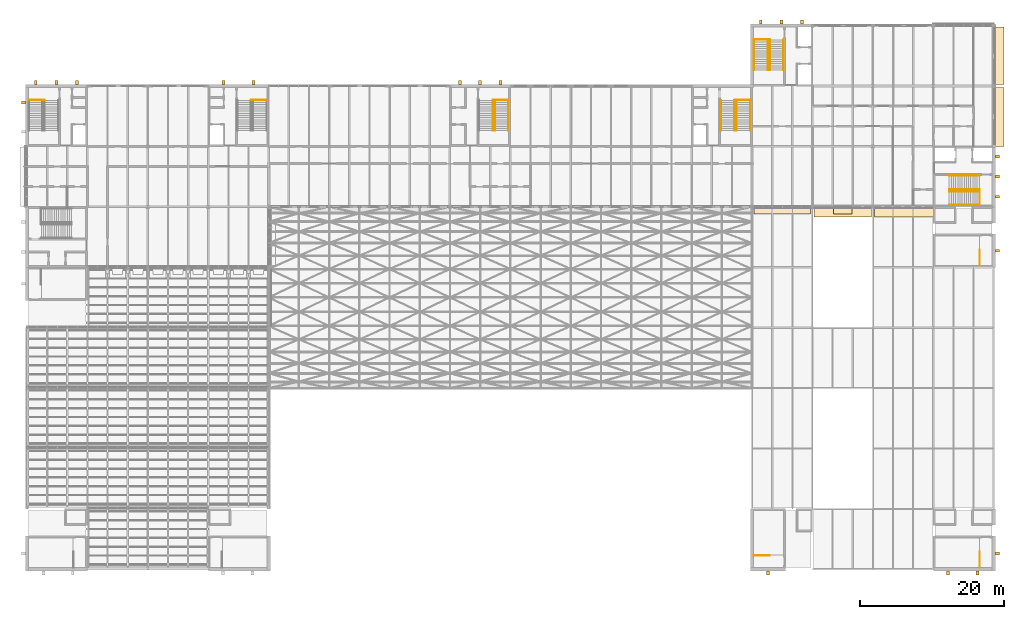
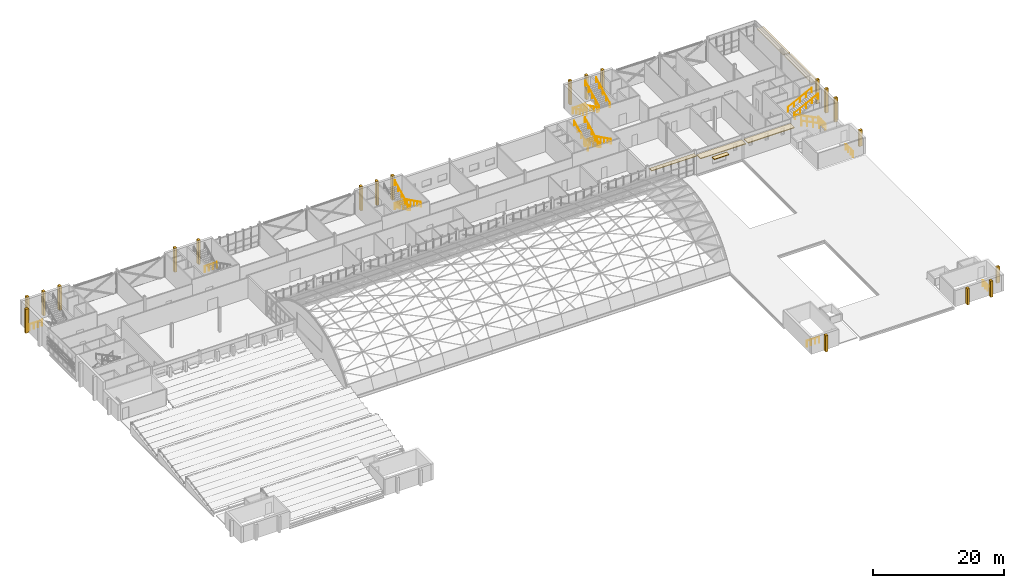
# One storey, part 121 of 121: 26 coverings, 24 railings.
"""IFC4 building model written with IfcOpenShell, lengths in metres."""

from ifc_helpers import new_model, si_unit, direction, frame, origin, origin_2d, place, context, subcontext, project, spatial, rectangle, circle, extrude, material, layer, layer_set, type_object, element, save


model = new_model("IFC4")

# Units and contexts
model_context = context("Model", 3, precision=1e-05, world=origin(), true_north=direction((0.0, 1.0)))
body_context = subcontext(model_context, "Body", "Model", "MODEL_VIEW")
ifc_project = project(units=[si_unit("LENGTHUNIT", "METRE"), si_unit("AREAUNIT", "SQUARE_METRE"), si_unit("VOLUMEUNIT", "CUBIC_METRE"), si_unit("PLANEANGLEUNIT", "RADIAN"), si_unit("MASSUNIT", "GRAM", prefix="KILO")], contexts=[model_context])

# Site, building, storey
site_placement = place(None, origin())
site = spatial("IfcSite", under=ifc_project, at=site_placement, CompositionType="ELEMENT")
building_placement = place(site_placement, origin())
building = spatial("IfcBuilding", under=site, at=building_placement, Name="Ardhachandra Cancer Care Centre", CompositionType="ELEMENT")
storey_placement = place(building_placement, frame((0.0, 0.0, 9.0)))
storey = spatial("IfcBuildingStorey", under=building, at=storey_placement, Name="L02", CompositionType="ELEMENT", Elevation=9.0)

# Railings
ifc_material_1 = material(Name="Steel E250 (IS 2062)", Category="steel")
railing_type_1 = type_object("IfcRailingType", Name="Guard 1100", PredefinedType="GUARDRAIL", material=ifc_material_1)
railing_1_placement = place(storey_placement, frame((11.054931640625, 94.659912109375, 0.0)))
element("IfcRailing", 1, at=railing_1_placement, inside=storey, type_object=railing_type_1, Name="Stair well guard K4 L02", PredefinedType="GUARDRAIL", context=body_context, shape_type="SweptSolid", body=[
    extrude(circle(Radius=0.02392578125, at=origin_2d()), frame((0.0, 0.0, 1.076171875), z_axis=(1.0, 0.0, 0.0), x_axis=(0.0, 1.0, 0.0)), (0.0, 0.0, 1.0), 2.170166015625),
    extrude(circle(Radius=0.02099609375, at=origin_2d()), origin(), (0.0, 0.0, 1.0), 1.052001953125),
    extrude(circle(Radius=0.02099609375, at=origin_2d()), frame((0.723388671875, 0.0, 0.0)), (0.0, 0.0, 1.0), 1.052001953125),
    extrude(circle(Radius=0.02099609375, at=origin_2d()), frame((1.44677734375, 0.0, 0.0)), (0.0, 0.0, 1.0), 1.052001953125),
    extrude(circle(Radius=0.02099609375, at=origin_2d()), frame((2.170166015625, 0.0, 0.0)), (0.0, 0.0, 1.0), 1.052001953125),
])
railing_2_placement = place(storey_placement, frame((44.169921875, 94.659912109375, 0.0)))
element("IfcRailing", 2, at=railing_2_placement, inside=storey, type_object=railing_type_1, Name="Stair well guard K5 L02", PredefinedType="GUARDRAIL", context=body_context, shape_type="SweptSolid", body=[
    extrude(circle(Radius=0.02392578125, at=origin_2d()), frame((0.0, 0.0, 1.076171875), z_axis=(-1.0, 0.0, 0.0), x_axis=(0.0, -1.0, 0.0)), (0.0, 0.0, 1.0), 2.169921875),
    extrude(circle(Radius=0.02099609375, at=origin_2d()), origin(), (0.0, 0.0, 1.0), 1.052001953125),
    extrude(circle(Radius=0.02099609375, at=origin_2d()), frame((-0.723388671875, 0.0, 0.0)), (0.0, 0.0, 1.0), 1.052001953125),
    extrude(circle(Radius=0.02099609375, at=origin_2d()), frame((-1.446533203125, 0.0, 0.0)), (0.0, 0.0, 1.0), 1.052001953125),
    extrude(circle(Radius=0.02099609375, at=origin_2d()), frame((-2.169921875, 0.0, 0.0)), (0.0, 0.0, 1.0), 1.052001953125),
])
railing_3_placement = place(storey_placement, frame((111.3701171875, 94.659912109375, 0.0)))
element("IfcRailing", 3, at=railing_3_placement, inside=storey, type_object=railing_type_1, Name="Stair well guard K7 L02", PredefinedType="GUARDRAIL", context=body_context, shape_type="SweptSolid", body=[
    extrude(circle(Radius=0.02392578125, at=origin_2d()), frame((0.0, 0.0, 1.076171875), z_axis=(-1.0, 0.0, 0.0), x_axis=(0.0, -1.0, 0.0)), (0.0, 0.0, 1.0), 2.170166015625),
    extrude(circle(Radius=0.02099609375, at=origin_2d()), origin(), (0.0, 0.0, 1.0), 1.052001953125),
    extrude(circle(Radius=0.02099609375, at=origin_2d()), frame((-0.723388671875, 0.0, 0.0)), (0.0, 0.0, 1.0), 1.052001953125),
    extrude(circle(Radius=0.02099609375, at=origin_2d()), frame((-1.44677734375, 0.0, 0.0)), (0.0, 0.0, 1.0), 1.052001953125),
    extrude(circle(Radius=0.02099609375, at=origin_2d()), frame((-2.170166015625, 0.0, 0.0)), (0.0, 0.0, 1.0), 1.052001953125),
])
railing_4_placement = place(storey_placement, frame((77.77001953125, 94.659912109375, 0.0)))
element("IfcRailing", 4, at=railing_4_placement, inside=storey, type_object=railing_type_1, Name="Stair well guard K8 L02", PredefinedType="GUARDRAIL", context=body_context, shape_type="SweptSolid", body=[
    extrude(circle(Radius=0.02392578125, at=origin_2d()), frame((0.0, 0.0, 1.076171875), z_axis=(-1.0, 0.0, 0.0), x_axis=(0.0, -1.0, 0.0)), (0.0, 0.0, 1.0), 2.169921875),
    extrude(circle(Radius=0.02099609375, at=origin_2d()), origin(), (0.0, 0.0, 1.0), 1.052001953125),
    extrude(circle(Radius=0.02099609375, at=origin_2d()), frame((-0.723388671875, 0.0, 0.0)), (0.0, 0.0, 1.0), 1.052001953125),
    extrude(circle(Radius=0.02099609375, at=origin_2d()), frame((-1.446533203125, 0.0, 0.0)), (0.0, 0.0, 1.0), 1.052001953125),
    extrude(circle(Radius=0.02099609375, at=origin_2d()), frame((-2.169921875, 0.0, 0.0)), (0.0, 0.0, 1.0), 1.052001953125),
])
railing_5_placement = place(storey_placement, frame((143.260009765625, 29.655029296875, 0.0)))
element("IfcRailing", 5, at=railing_5_placement, inside=storey, type_object=railing_type_1, Name="Stair well guard K9 L02", PredefinedType="GUARDRAIL", context=body_context, shape_type="SweptSolid", body=[
    extrude(circle(Radius=0.02392578125, at=origin_2d()), frame((0.0, 0.0, 1.076171875), z_axis=(0.0, 1.0, 0.0), x_axis=(-1.0, 0.0, 0.0)), (0.0, 0.0, 1.0), 2.169921875),
    extrude(circle(Radius=0.02099609375, at=origin_2d()), origin(), (0.0, 0.0, 1.0), 1.052001953125),
    extrude(circle(Radius=0.02099609375, at=origin_2d()), frame((0.0, 0.723388671875, 0.0)), (0.0, 0.0, 1.0), 1.052001953125),
    extrude(circle(Radius=0.02099609375, at=origin_2d()), frame((0.0, 1.446533203125, 0.0)), (0.0, 0.0, 1.0), 1.052001953125),
    extrude(circle(Radius=0.02099609375, at=origin_2d()), frame((0.0, 2.169921875, 0.0)), (0.0, 0.0, 1.0), 1.052001953125),
])
railing_6_placement = place(storey_placement, frame((143.260009765625, 71.6298828125, 0.0)))
element("IfcRailing", 6, at=railing_6_placement, inside=storey, type_object=railing_type_1, Name="Stair well guard K10 L02", PredefinedType="GUARDRAIL", context=body_context, shape_type="SweptSolid", body=[
    extrude(circle(Radius=0.02392578125, at=origin_2d()), frame((0.0, 0.0, 1.076171875), z_axis=(0.0, 1.0, 0.0), x_axis=(-1.0, 0.0, 0.0)), (0.0, 0.0, 1.0), 2.170166015625),
    extrude(circle(Radius=0.02099609375, at=origin_2d()), origin(), (0.0, 0.0, 1.0), 1.052001953125),
    extrude(circle(Radius=0.02099609375, at=origin_2d()), frame((0.0, 0.723388671875, 0.0)), (0.0, 0.0, 1.0), 1.052001953125),
    extrude(circle(Radius=0.02099609375, at=origin_2d()), frame((0.0, 1.44677734375, 0.0)), (0.0, 0.0, 1.0), 1.052001953125),
    extrude(circle(Radius=0.02099609375, at=origin_2d()), frame((0.0, 2.170166015625, 0.0)), (0.0, 0.0, 1.0), 1.052001953125),
])
for number, where, name in (
    (7, (111.85498046875, 31.340087890625, 0.0), "Stair well guard K11 L02"),
    (8, (111.85498046875, 103.06005859375, 0.0), "Stair well guard K12 L02"),
):
    element("IfcRailing", number, at=place(storey_placement, frame(where)), inside=storey, type_object=railing_type_1, Name=name, PredefinedType="GUARDRAIL", context=body_context, shape_type="SweptSolid", body=[
        extrude(circle(Radius=0.02392578125, at=origin_2d()), frame((0.0, 0.0, 1.076171875), z_axis=(1.0, 0.0, 0.0), x_axis=(0.0, 1.0, 0.0)), (0.0, 0.0, 1.0), 2.169921875),
        extrude(circle(Radius=0.02099609375, at=origin_2d()), origin(), (0.0, 0.0, 1.0), 1.052001953125),
        extrude(circle(Radius=0.02099609375, at=origin_2d()), frame((0.723388671875, 0.0, 0.0)), (0.0, 0.0, 1.0), 1.052001953125),
        extrude(circle(Radius=0.02099609375, at=origin_2d()), frame((1.446533203125, 0.0, 0.0)), (0.0, 0.0, 1.0), 1.052001953125),
        extrude(circle(Radius=0.02099609375, at=origin_2d()), frame((2.169921875, 0.0, 0.0)), (0.0, 0.0, 1.0), 1.052001953125),
    ])
railing_7_placement = place(storey_placement, frame((143.260009765625, 80.030029296875, 0.0)))
element("IfcRailing", 9, at=railing_7_placement, inside=storey, type_object=railing_type_1, Name="Stair well guard K13 L02", PredefinedType="GUARDRAIL", context=body_context, shape_type="SweptSolid", body=[
    extrude(circle(Radius=0.02392578125, at=origin_2d()), frame((0.0, 0.0, 1.076171875), z_axis=(0.0, 1.0, 0.0), x_axis=(-1.0, 0.0, 0.0)), (0.0, 0.0, 1.0), 2.169921875),
    extrude(circle(Radius=0.02099609375, at=origin_2d()), origin(), (0.0, 0.0, 1.0), 1.052001953125),
    extrude(circle(Radius=0.02099609375, at=origin_2d()), frame((0.0, 0.723388671875, 0.0)), (0.0, 0.0, 1.0), 1.052001953125),
    extrude(circle(Radius=0.02099609375, at=origin_2d()), frame((0.0, 1.446533203125, 0.0)), (0.0, 0.0, 1.0), 1.052001953125),
    extrude(circle(Radius=0.02099609375, at=origin_2d()), frame((0.0, 2.169921875, 0.0)), (0.0, 0.0, 1.0), 1.052001953125),
])

# Coverings
ifc_material_2 = material(Name="Precast Concrete M25", Category="concrete")
ifc_layer_1 = layer(ifc_material_2, 0.1201171875)
ifc_layer_set_1 = layer_set([ifc_layer_1], Name="Precast Concrete M25")
covering_type_1 = type_object("IfcCoveringType", Name="Precast chajja 750 x 120", PredefinedType="USERDEFINED", material=ifc_layer_set_1)
covering_1_placement = place(storey_placement, frame((115.800048828125, 79.199951171875, 3.949951171875), z_axis=(0.0, 0.0, 1.0), x_axis=(1.0, 0.0, 0.0)))
element("IfcCovering", 10, at=covering_1_placement, inside=storey, type_object=covering_type_1, Name="Chajja over curtain wall L02/s/0111600_0079800", ObjectType="CHAJJA", PredefinedType="USERDEFINED", context=body_context, shape_type="SweptSolid", body=[
    extrude(rectangle(XDim=7.905029296875, YDim=0.75, at=origin_2d()), origin(), (0.0, 0.0, 1.0), 0.1201171875),
])
covering_2_placement = place(storey_placement, frame((124.199951171875, 79.199951171875, 2.199951171875), z_axis=(0.0, 0.0, 1.0), x_axis=(1.0, 0.0, 0.0)))
element("IfcCovering", 11, at=covering_2_placement, inside=storey, type_object=covering_type_1, Name="Chajja L02/s/0120000_0079800/01", ObjectType="CHAJJA", PredefinedType="USERDEFINED", context=body_context, shape_type="SweptSolid", body=[
    extrude(rectangle(XDim=2.60009765625, YDim=0.75, at=origin_2d()), origin(), (0.0, 0.0, 1.0), 0.1201171875),
])
ifc_material_3 = material(Name="Precast Concrete M25", Category="concrete")
ifc_layer_2 = layer(ifc_material_3, 0.39990234375)
ifc_layer_set_2 = layer_set([ifc_layer_2], Name="Precast Concrete M25")
covering_type_2 = type_object("IfcCoveringType", Name="Precast concrete fin 400 x 550", PredefinedType="CLADDING", material=ifc_layer_set_2)
for number, where, z_axis, x_axis, name in (
    (12, (12.012451171875, 97.10009765625, 0.0), (0.0, 0.0, 1.0), (1.0, 0.0, 0.0), "Fin L02 core K4 1"),
    (13, (14.887451171875, 97.10009765625, 0.0), (0.0, 0.0, 1.0), (1.0, 0.0, 0.0), "Fin L02 core K4 2"),
    (14, (17.762451171875, 97.10009765625, 0.0), (0.0, 0.0, 1.0), (1.0, 0.0, 0.0), "Fin L02 core K4 3"),
    (15, (10.300048828125, 94.331298828125, 0.0), (0.0, 0.0, 1.0), (0.0, 1.0, 0.0), "Fin L02 core K4 2"),
    (16, (38.10009765625, 97.10009765625, 0.0), (0.0, 0.0, 1.0), (1.0, 0.0, 0.0), "Fin L02 core K5 1"),
    (17, (42.300048828125, 97.10009765625, 0.0), (0.0, 0.0, 1.0), (1.0, 0.0, 0.0), "Fin L02 core K5 2"),
    (18, (71.0, 97.10009765625, 0.0), (0.0, 0.0, 1.0), (1.0, 0.0, 0.0), "Fin L02 core K8 1"),
    (19, (73.800048828125, 97.10009765625, 0.0), (0.0, 0.0, 1.0), (1.0, 0.0, 0.0), "Fin L02 core K8 2"),
    (20, (76.60009765625, 97.10009765625, 0.0), (0.0, 0.0, 1.0), (1.0, 0.0, 0.0), "Fin L02 core K8 3"),
):
    element("IfcCovering", number, at=place(storey_placement, frame(where, z_axis=z_axis, x_axis=x_axis)), inside=storey, type_object=covering_type_2, Name=name, PredefinedType="CLADDING", context=body_context, shape_type="SweptSolid", body=[
        extrude(rectangle(XDim=0.39990234375, YDim=0.550048828125, at=origin_2d()), origin(), (0.0, 0.0, 1.0), 4.5),
    ])
for number, where, z_axis, x_axis, name in (
    (21, (145.699951171875, 31.60009765625, 0.0), (0.0, 0.0, 1.0), (0.0, 1.0, 0.0), "Fin L02 core K9 1"),
    (22, (138.84375, 28.89990234375, 0.0), (0.0, 0.0, 1.0), (1.0, 0.0, 0.0), "Fin L02 core K9 1"),
    (23, (142.93115234375, 28.89990234375, 0.0), (0.0, 0.0, 1.0), (1.0, 0.0, 0.0), "Fin L02 core K9 2"),
    (24, (145.699951171875, 73.699951171875, 0.0), (0.0, 0.0, 1.0), (0.0, 1.0, 0.0), "Fin L02 core K10 1"),
    (25, (113.800048828125, 28.89990234375, 0.0), (0.0, 0.0, 1.0), (1.0, 0.0, 0.0), "Fin L02 core K11 1"),
):
    element("IfcCovering", number, at=place(storey_placement, frame(where, z_axis=z_axis, x_axis=x_axis)), inside=storey, type_object=covering_type_2, Name=name, PredefinedType="CLADDING", context=body_context, shape_type="SweptSolid", body=[
        extrude(rectangle(XDim=0.39990234375, YDim=0.550048828125, at=origin_2d()), origin(), (0.0, 0.0, 1.0), 3.0),
    ])
for number, where, z_axis, x_axis, name in (
    (26, (112.8125, 105.5, 0.0), (0.0, 0.0, 1.0), (1.0, 0.0, 0.0), "Fin L02 core K12 1"),
    (27, (115.6875, 105.5, 0.0), (0.0, 0.0, 1.0), (1.0, 0.0, 0.0), "Fin L02 core K12 2"),
    (28, (118.5625, 105.5, 0.0), (0.0, 0.0, 1.0), (1.0, 0.0, 0.0), "Fin L02 core K12 3"),
    (29, (145.699951171875, 81.199951171875, 0.0), (0.0, 0.0, 1.0), (0.0, 1.0, 0.0), "Fin L02 core K13 1"),
    (30, (145.699951171875, 84.0, 0.0), (0.0, 0.0, 1.0), (0.0, 1.0, 0.0), "Fin L02 core K13 2"),
    (31, (145.699951171875, 86.800048828125, 0.0), (0.0, 0.0, 1.0), (0.0, 1.0, 0.0), "Fin L02 core K13 3"),
):
    element("IfcCovering", number, at=place(storey_placement, frame(where, z_axis=z_axis, x_axis=x_axis)), inside=storey, type_object=covering_type_2, Name=name, PredefinedType="CLADDING", context=body_context, shape_type="SweptSolid", body=[
        extrude(rectangle(XDim=0.39990234375, YDim=0.550048828125, at=origin_2d()), origin(), (0.0, 0.0, 1.0), 4.5),
    ])
ifc_material_4 = material(Name="Precast Concrete M25", Category="concrete")
ifc_layer_3 = layer(ifc_material_4, 0.14990234375)
ifc_layer_set_3 = layer_set([ifc_layer_3], Name="Precast Concrete M25")
covering_type_3 = type_object("IfcCoveringType", Name="Precast sunshade band 1200 x 150", PredefinedType="CLADDING", material=ifc_layer_set_3)
covering_3_placement = place(storey_placement, frame((124.199951171875, 78.97509765625, 3.550048828125), z_axis=(0.0, 0.0, 1.0), x_axis=(1.0, 0.0, 0.0)))
element("IfcCovering", 32, at=covering_3_placement, inside=storey, type_object=covering_type_3, Name="Sunshade band L02 L02/s/0120000_0079800 1", PredefinedType="CLADDING", context=body_context, shape_type="SweptSolid", body=[
    extrude(rectangle(XDim=8.0048828125, YDim=1.199951171875, at=origin_2d()), origin(), (0.0, 0.0, 1.0), 0.14990234375),
])
covering_4_placement = place(storey_placement, frame((132.69873046875, 78.97509765625, 3.550048828125), z_axis=(0.0, 0.0, 1.0), x_axis=(1.0, 0.0, 0.0)))
element("IfcCovering", 33, at=covering_4_placement, inside=storey, type_object=covering_type_3, Name="Sunshade band L02 L02/s/0128400_0079800 1", PredefinedType="CLADDING", context=body_context, shape_type="SweptSolid", body=[
    extrude(rectangle(XDim=8.202392578125, YDim=1.199951171875, at=origin_2d()), origin(), (0.0, 0.0, 1.0), 0.14990234375),
])
covering_5_placement = place(storey_placement, frame((146.02490234375, 92.30908203125, 2.949951171875), z_axis=(0.0, 0.0, 1.0), x_axis=(0.0, 1.0, 0.0)))
element("IfcCovering", 34, at=covering_5_placement, inside=storey, type_object=covering_type_3, Name="Sunshade band L02 L02/e/0145200_0088200 1", PredefinedType="CLADDING", context=body_context, shape_type="SweptSolid", body=[
    extrude(rectangle(XDim=8.218017578125, YDim=1.199951171875, at=origin_2d()), origin(), (0.0, 0.0, 1.0), 0.14990234375),
])
covering_6_placement = place(storey_placement, frame((146.02490234375, 100.800048828125, 2.949951171875), z_axis=(0.0, 0.0, 1.0), x_axis=(0.0, 1.0, 0.0)))
element("IfcCovering", 35, at=covering_6_placement, inside=storey, type_object=covering_type_3, Name="Sunshade band L02 L02/e/0145200_0096600 1", PredefinedType="CLADDING", context=body_context, shape_type="SweptSolid", body=[
    extrude(rectangle(XDim=8.035888671875, YDim=1.199951171875, at=origin_2d()), origin(), (0.0, 0.0, 1.0), 0.14990234375),
])

# Railings
ifc_material_5 = material(Name="Steel E250 (IS 2062)", Category="steel")
railing_type_2 = type_object("IfcRailingType", Name="Stair handrail 900", PredefinedType="HANDRAIL", material=ifc_material_5)
for number, where, name in (
    (36, (111.340087890625, 94.60009765625, 0.14990234375), "Handrail K7 L02-L03 flight 1 wall side"),
    (37, (109.449951171875, 94.60009765625, 0.14990234375), "Handrail K7 L02-L03 flight 1 well side"),
):
    element("IfcRailing", number, at=place(storey_placement, frame(where)), inside=storey, type_object=railing_type_2, Name=name, PredefinedType="HANDRAIL", context=body_context, shape_type="SweptSolid", body=[
        extrude(circle(Radius=0.02392578125, at=origin_2d()), frame((0.0, 0.0, 0.8759765625), z_axis=(0.0, -0.894427191, 0.4472135955), x_axis=(1.0, 0.0, 0.0)), (0.0, 0.0, 1.0), 4.696044921875),
        extrude(circle(Radius=0.02099609375, at=origin_2d()), origin(), (0.0, 0.0, 1.0), 0.851806640625),
        extrude(circle(Radius=0.02099609375, at=origin_2d()), frame((0.0, -1.050048828125, 0.52490234375)), (0.0, 0.0, 1.0), 0.851806640625),
        extrude(circle(Radius=0.02099609375, at=origin_2d()), frame((0.0, -2.10009765625, 1.050048828125)), (0.0, 0.0, 1.0), 0.851806640625),
        extrude(circle(Radius=0.02099609375, at=origin_2d()), frame((0.0, -3.150146484375, 1.5751953125)), (0.0, 0.0, 1.0), 0.851806640625),
        extrude(circle(Radius=0.02099609375, at=origin_2d()), frame((0.0, -4.2001953125, 2.10009765625)), (0.0, 0.0, 1.0), 0.851806640625),
    ])
for number, where, name in (
    (38, (109.14990234375, 90.39990234375, 2.39990234375), "Handrail K7 L02-L03 flight 2 well side"),
    (39, (107.260009765625, 90.39990234375, 2.39990234375), "Handrail K7 L02-L03 flight 2 wall side"),
):
    element("IfcRailing", number, at=place(storey_placement, frame(where)), inside=storey, type_object=railing_type_2, Name=name, PredefinedType="HANDRAIL", context=body_context, shape_type="SweptSolid", body=[
        extrude(circle(Radius=0.02392578125, at=origin_2d()), frame((0.0, 0.0, 0.8759765625), z_axis=(0.0, 0.894427191, 0.4472135955), x_axis=(-1.0, 0.0, 0.0)), (0.0, 0.0, 1.0), 4.696044921875),
        extrude(circle(Radius=0.02099609375, at=origin_2d()), origin(), (0.0, 0.0, 1.0), 0.851806640625),
        extrude(circle(Radius=0.02099609375, at=origin_2d()), frame((0.0, 1.050048828125, 0.52490234375)), (0.0, 0.0, 1.0), 0.851806640625),
        extrude(circle(Radius=0.02099609375, at=origin_2d()), frame((0.0, 2.10009765625, 1.050048828125)), (0.0, 0.0, 1.0), 0.851806640625),
        extrude(circle(Radius=0.02099609375, at=origin_2d()), frame((0.0, 3.150146484375, 1.5751953125)), (0.0, 0.0, 1.0), 0.851806640625),
        extrude(circle(Radius=0.02099609375, at=origin_2d()), frame((0.0, 4.2001953125, 2.10009765625)), (0.0, 0.0, 1.0), 0.851806640625),
    ])
for number, where, name in (
    (40, (77.739990234375, 94.60009765625, 0.14990234375), "Handrail K8 L02-L03 flight 1 wall side"),
    (41, (75.85009765625, 94.60009765625, 0.14990234375), "Handrail K8 L02-L03 flight 1 well side"),
):
    element("IfcRailing", number, at=place(storey_placement, frame(where)), inside=storey, type_object=railing_type_2, Name=name, PredefinedType="HANDRAIL", context=body_context, shape_type="SweptSolid", body=[
        extrude(circle(Radius=0.02392578125, at=origin_2d()), frame((0.0, 0.0, 0.8759765625), z_axis=(0.0, -0.894427191, 0.4472135955), x_axis=(1.0, 0.0, 0.0)), (0.0, 0.0, 1.0), 4.696044921875),
        extrude(circle(Radius=0.02099609375, at=origin_2d()), origin(), (0.0, 0.0, 1.0), 0.851806640625),
        extrude(circle(Radius=0.02099609375, at=origin_2d()), frame((0.0, -1.050048828125, 0.52490234375)), (0.0, 0.0, 1.0), 0.851806640625),
        extrude(circle(Radius=0.02099609375, at=origin_2d()), frame((0.0, -2.10009765625, 1.050048828125)), (0.0, 0.0, 1.0), 0.851806640625),
        extrude(circle(Radius=0.02099609375, at=origin_2d()), frame((0.0, -3.150146484375, 1.5751953125)), (0.0, 0.0, 1.0), 0.851806640625),
        extrude(circle(Radius=0.02099609375, at=origin_2d()), frame((0.0, -4.2001953125, 2.10009765625)), (0.0, 0.0, 1.0), 0.851806640625),
    ])
railing_8_placement = place(storey_placement, frame((75.550048828125, 90.39990234375, 2.39990234375)))
element("IfcRailing", 42, at=railing_8_placement, inside=storey, type_object=railing_type_2, Name="Handrail K8 L02-L03 flight 2 well side", PredefinedType="HANDRAIL", context=body_context, shape_type="SweptSolid", body=[
    extrude(circle(Radius=0.02392578125, at=origin_2d()), frame((0.0, 0.0, 0.8759765625), z_axis=(0.0, 0.894427191, 0.4472135955), x_axis=(-1.0, 0.0, 0.0)), (0.0, 0.0, 1.0), 4.696044921875),
    extrude(circle(Radius=0.02099609375, at=origin_2d()), origin(), (0.0, 0.0, 1.0), 0.851806640625),
    extrude(circle(Radius=0.02099609375, at=origin_2d()), frame((0.0, 1.050048828125, 0.52490234375)), (0.0, 0.0, 1.0), 0.851806640625),
    extrude(circle(Radius=0.02099609375, at=origin_2d()), frame((0.0, 2.10009765625, 1.050048828125)), (0.0, 0.0, 1.0), 0.851806640625),
    extrude(circle(Radius=0.02099609375, at=origin_2d()), frame((0.0, 3.150146484375, 1.5751953125)), (0.0, 0.0, 1.0), 0.851806640625),
    extrude(circle(Radius=0.02099609375, at=origin_2d()), frame((0.0, 4.2001953125, 2.10009765625)), (0.0, 0.0, 1.0), 0.851806640625),
])
for number, where, name in (
    (43, (111.885009765625, 103.0, 0.14990234375), "Handrail K12 L02-L03 flight 1 wall side"),
    (44, (113.77490234375, 103.0, 0.14990234375), "Handrail K12 L02-L03 flight 1 well side"),
):
    element("IfcRailing", number, at=place(storey_placement, frame(where)), inside=storey, type_object=railing_type_2, Name=name, PredefinedType="HANDRAIL", context=body_context, shape_type="SweptSolid", body=[
        extrude(circle(Radius=0.02392578125, at=origin_2d()), frame((0.0, 0.0, 0.8759765625), z_axis=(0.0, -0.894416792377, 0.447234392142), x_axis=(1.0, 0.0, 0.0)), (0.0, 0.0, 1.0), 4.69580078125),
        extrude(circle(Radius=0.02099609375, at=origin_2d()), origin(), (0.0, 0.0, 1.0), 0.851806640625),
        extrude(circle(Radius=0.02099609375, at=origin_2d()), frame((0.0, -1.050048828125, 0.52490234375)), (0.0, 0.0, 1.0), 0.851806640625),
        extrude(circle(Radius=0.02099609375, at=origin_2d()), frame((0.0, -2.10009765625, 1.050048828125)), (0.0, 0.0, 1.0), 0.851806640625),
        extrude(circle(Radius=0.02099609375, at=origin_2d()), frame((0.0, -3.14990234375, 1.5751953125)), (0.0, 0.0, 1.0), 0.851806640625),
        extrude(circle(Radius=0.02099609375, at=origin_2d()), frame((0.0, -4.199951171875, 2.10009765625)), (0.0, 0.0, 1.0), 0.851806640625),
    ])
for number, where, name in (
    (45, (114.074951171875, 98.800048828125, 2.39990234375), "Handrail K12 L02-L03 flight 2 well side"),
    (46, (115.965087890625, 98.800048828125, 2.39990234375), "Handrail K12 L02-L03 flight 2 wall side"),
):
    element("IfcRailing", number, at=place(storey_placement, frame(where)), inside=storey, type_object=railing_type_2, Name=name, PredefinedType="HANDRAIL", context=body_context, shape_type="SweptSolid", body=[
        extrude(circle(Radius=0.02392578125, at=origin_2d()), frame((0.0, 0.0, 0.8759765625), z_axis=(0.0, 0.894416792377, 0.447234392142), x_axis=(-1.0, 0.0, 0.0)), (0.0, 0.0, 1.0), 4.69580078125),
        extrude(circle(Radius=0.02099609375, at=origin_2d()), origin(), (0.0, 0.0, 1.0), 0.851806640625),
        extrude(circle(Radius=0.02099609375, at=origin_2d()), frame((0.0, 1.050048828125, 0.52490234375)), (0.0, 0.0, 1.0), 0.851806640625),
        extrude(circle(Radius=0.02099609375, at=origin_2d()), frame((0.0, 2.10009765625, 1.050048828125)), (0.0, 0.0, 1.0), 0.851806640625),
        extrude(circle(Radius=0.02099609375, at=origin_2d()), frame((0.0, 3.14990234375, 1.5751953125)), (0.0, 0.0, 1.0), 0.851806640625),
        extrude(circle(Radius=0.02099609375, at=origin_2d()), frame((0.0, 4.199951171875, 2.10009765625)), (0.0, 0.0, 1.0), 0.851806640625),
    ])
for number, where, name in (
    (47, (143.199951171875, 80.06005859375, 0.14990234375), "Handrail K13 L02-L03 flight 1 wall side"),
    (48, (143.199951171875, 81.949951171875, 0.14990234375), "Handrail K13 L02-L03 flight 1 well side"),
):
    element("IfcRailing", number, at=place(storey_placement, frame(where)), inside=storey, type_object=railing_type_2, Name=name, PredefinedType="HANDRAIL", context=body_context, shape_type="SweptSolid", body=[
        extrude(circle(Radius=0.02392578125, at=origin_2d()), frame((0.0, 0.0, 0.8759765625), z_axis=(-0.894416792377, 0.0, 0.447234392142), x_axis=(0.0, -1.0, 0.0)), (0.0, 0.0, 1.0), 4.69580078125),
        extrude(circle(Radius=0.02099609375, at=origin_2d()), origin(), (0.0, 0.0, 1.0), 0.851806640625),
        extrude(circle(Radius=0.02099609375, at=origin_2d()), frame((-1.050048828125, 0.0, 0.52490234375)), (0.0, 0.0, 1.0), 0.851806640625),
        extrude(circle(Radius=0.02099609375, at=origin_2d()), frame((-2.10009765625, 0.0, 1.050048828125)), (0.0, 0.0, 1.0), 0.851806640625),
        extrude(circle(Radius=0.02099609375, at=origin_2d()), frame((-3.14990234375, 0.0, 1.5751953125)), (0.0, 0.0, 1.0), 0.851806640625),
        extrude(circle(Radius=0.02099609375, at=origin_2d()), frame((-4.199951171875, 0.0, 2.10009765625)), (0.0, 0.0, 1.0), 0.851806640625),
    ])
for number, where, name in (
    (49, (139.0, 82.25, 2.39990234375), "Handrail K13 L02-L03 flight 2 well side"),
    (50, (139.0, 84.139892578125, 2.39990234375), "Handrail K13 L02-L03 flight 2 wall side"),
):
    element("IfcRailing", number, at=place(storey_placement, frame(where)), inside=storey, type_object=railing_type_2, Name=name, PredefinedType="HANDRAIL", context=body_context, shape_type="SweptSolid", body=[
        extrude(circle(Radius=0.02392578125, at=origin_2d()), frame((0.0, 0.0, 0.8759765625), z_axis=(0.894416792377, 0.0, 0.447234392142), x_axis=(0.0, 1.0, 0.0)), (0.0, 0.0, 1.0), 4.69580078125),
        extrude(circle(Radius=0.02099609375, at=origin_2d()), origin(), (0.0, 0.0, 1.0), 0.851806640625),
        extrude(circle(Radius=0.02099609375, at=origin_2d()), frame((1.050048828125, 0.0, 0.52490234375)), (0.0, 0.0, 1.0), 0.851806640625),
        extrude(circle(Radius=0.02099609375, at=origin_2d()), frame((2.10009765625, 0.0, 1.050048828125)), (0.0, 0.0, 1.0), 0.851806640625),
        extrude(circle(Radius=0.02099609375, at=origin_2d()), frame((3.14990234375, 0.0, 1.5751953125)), (0.0, 0.0, 1.0), 0.851806640625),
        extrude(circle(Radius=0.02099609375, at=origin_2d()), frame((4.199951171875, 0.0, 2.10009765625)), (0.0, 0.0, 1.0), 0.851806640625),
    ])

save(model, "model.ifc")
